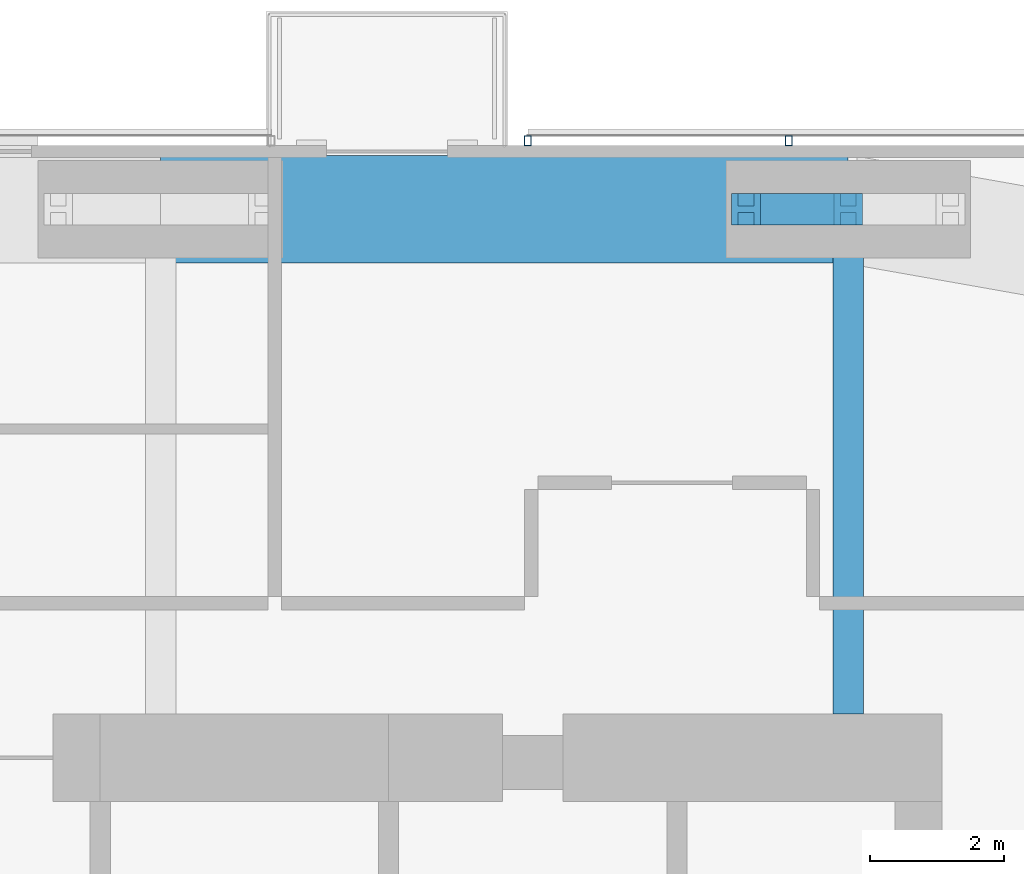
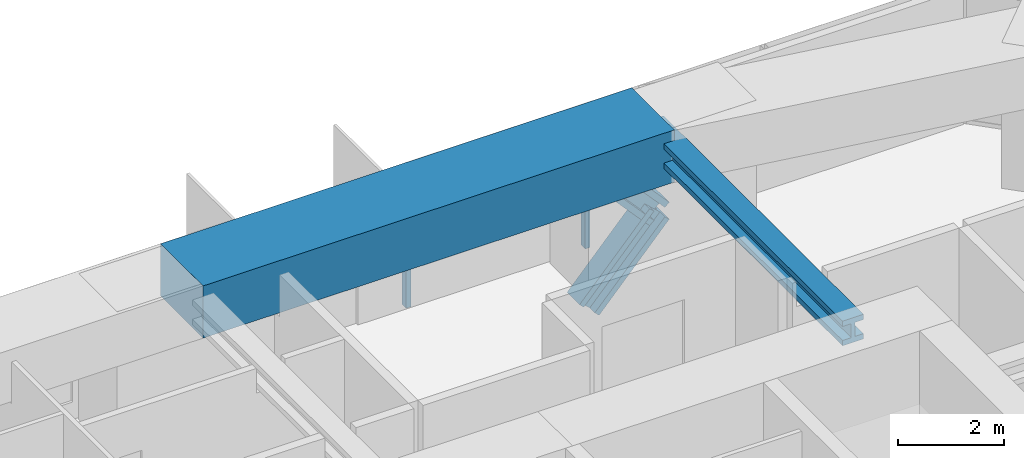
# One storey, part 12 of 22: 4 members, 2 beams, 1 element without a shape of its own.
"""IFC4 building model written with IfcOpenShell, lengths in metres."""

from ifc_helpers import new_model, si_unit, direction, frame, origin, origin_2d, place, context, subcontext, project, spatial, rectangle, hollow_rectangle, i_section, extrude, material, material_profile, profile_set, type_object, element, aggregate, save


model = new_model("IFC4")

# Units and contexts
model_context = context("Model", 3, precision=1e-05, world=origin(), true_north=direction((0.0, 1.0)))
body_context = subcontext(model_context, "Body", "Model", "MODEL_VIEW")
ifc_project = project(units=[si_unit("LENGTHUNIT", "METRE"), si_unit("AREAUNIT", "SQUARE_METRE"), si_unit("VOLUMEUNIT", "CUBIC_METRE"), si_unit("PLANEANGLEUNIT", "RADIAN"), si_unit("MASSUNIT", "GRAM", prefix="KILO")], contexts=[model_context])

# Site, building, storey
site_placement = place(None, origin())
site = spatial("IfcSite", under=ifc_project, at=site_placement, CompositionType="ELEMENT")
building_placement = place(site_placement, origin())
building = spatial("IfcBuilding", under=site, at=building_placement, Name="Jalousie Tower", CompositionType="ELEMENT")
storey_placement = place(building_placement, frame((0.0, 0.0, 201.25)))
storey = spatial("IfcBuildingStorey", under=building, at=storey_placement, Name="L55", CompositionType="ELEMENT", Elevation=201.25)

# Beam
ifc_material_1 = material(Name="Steel ASTM A992 Grade 50", Category="steel")
ifc_material_profile_1 = material_profile(ifc_material_1, i_section(OverallWidth=0.45458984375, OverallDepth=0.569091796875, WebThickness=0.077880859375, FlangeThickness=0.124755859375, at=origin_2d()), Name="W14X730")
ifc_profile_set_1 = profile_set([ifc_material_profile_1], Name="Steel ASTM A992 Grade 50")
beam_type_1 = type_object("IfcBeamType", Name="LEAN COLLECTOR W14X730", PredefinedType="BEAM", material=ifc_profile_set_1)
beam_1_placement = place(storey_placement, frame((42.75, 35.050048828125, 2.825439453125), z_axis=(0.0, -1.0, 0.0), x_axis=(1.0, 0.0, 0.0)))
element("IfcBeam", 1, at=beam_1_placement, inside=storey, type_object=beam_type_1, Name="Lean collector under L56", PredefinedType="BEAM", context=body_context, shape_type="SweptSolid", body=[
    extrude(i_section(OverallWidth=0.45458984375, OverallDepth=0.569091796875, WebThickness=0.077880859375, FlangeThickness=0.124755859375, at=origin_2d()), origin(), (0.0, 0.0, 1.0), 7.525146484375),
])

# Members
ifc_material_2 = material(Name="Steel ASTM A992 Grade 50", Category="steel")
ifc_material_profile_2 = material_profile(ifc_material_2, i_section(OverallWidth=0.472412109375, OverallDepth=0.5791015625, WebThickness=0.094970703125, FlangeThickness=0.1298828125, at=origin_2d()), Name="W14X808")
ifc_profile_set_2 = profile_set([ifc_material_profile_2], Name="Steel ASTM A992 Grade 50")
member_type_1 = type_object("IfcMemberType", Name="PERIMETER BRACE W14X808", PredefinedType="BRACE", material=ifc_profile_set_2)
for number, where, z_axis, x_axis, name in (
    (2, (41.22509765625, 35.050048828125, -0.60009765625), (0.673187629365, 0.0, 0.739471713908), (0.0, 1.0, 0.0), "Perimeter brace 09 L55 part 1"),
    (3, (42.75, 35.050048828125, 1.074951171875), (-0.673187629365, 0.0, 0.739471713908), (0.0, -1.0, 0.0), "Perimeter brace 09 L55 part 4"),
):
    element("IfcMember", number, at=place(storey_placement, frame(where, z_axis=z_axis, x_axis=x_axis)), inside=storey, type_object=member_type_1, Name=name, PredefinedType="BRACE", context=body_context, shape_type="SweptSolid", body=[
        extrude(i_section(OverallWidth=0.472412109375, OverallDepth=0.5791015625, WebThickness=0.094970703125, FlangeThickness=0.1298828125, at=origin_2d()), origin(), (0.0, 0.0, 1.0), 2.26513671875),
    ])

# Beam
ifc_material_3 = material(Name="Concrete f'c 40 MPa", Category="concrete")
ifc_material_profile_3 = material_profile(ifc_material_3, rectangle(XDim=1.60009765625, YDim=1.199951171875, at=origin_2d()), Name="RC 1600x1200")
ifc_profile_set_3 = profile_set([ifc_material_profile_3], Name="Concrete f'c 40 MPa")
beam_type_2 = type_object("IfcBeamType", Name="RC BEAM 1600x1200", PredefinedType="BEAM", material=ifc_profile_set_3)
beam_2_placement = place(storey_placement, frame((42.75, 35.050048828125, 2.75), z_axis=(-1.0, 0.0, 0.0), x_axis=(0.0, -1.0, 0.0)))
element("IfcBeam", 4, at=beam_2_placement, inside=storey, type_object=beam_type_2, Name="Edge band beam 09-10 under L56", PredefinedType="BEAM", context=body_context, shape_type="SweptSolid", body=[
    extrude(rectangle(XDim=1.60009765625, YDim=1.199951171875, at=origin_2d()), origin(), (0.0, 0.0, 1.0), 10.25),
])

# Curtain wall, members
ifc_material_4 = material(Name="Perforated aluminium sheet", Category="aluminium")
curtain_wall_type = type_object("IfcCurtainWallType", Name="SOLAR SCREEN SS-1", PredefinedType="USERDEFINED", material=ifc_material_4)
curtain_wall_placement = place(storey_placement, origin())
curtain_wall = element("IfcCurtainWall", 5, at=curtain_wall_placement, inside=storey, type_object=curtain_wall_type, Name="Solar screen L55", ObjectType="SOLAR SCREEN SS-1", PredefinedType="USERDEFINED")
ifc_material_5 = material(Name="Steel ASTM A500 Grade C", Category="steel")
ifc_material_profile_4 = material_profile(ifc_material_5, hollow_rectangle(XDim=0.1015625, YDim=0.15234375, WallThickness=0.00634765625, at=origin_2d()), Name="HSS6X4X1/4")
ifc_profile_set_4 = profile_set([ifc_material_profile_4], Name="Steel ASTM A500 Grade C")
member_type_2 = type_object("IfcMemberType", Name="SOLAR SCREEN SS-1 MULLION", PredefinedType="MULLION", material=ifc_profile_set_4)
member_1_placement = place(storey_placement, frame((41.8662109375, 36.0712890625, -0.1201171875), z_axis=(0.0, 0.0, 1.0), x_axis=(-1.0, 0.0, 0.0)))
member_1 = element("IfcMember", 6, at=member_1_placement, type_object=member_type_2, Name="SS1 post 3", PredefinedType="MULLION", context=body_context, shape_type="SweptSolid", body=[
    extrude(hollow_rectangle(XDim=0.1015625, YDim=0.15234375, WallThickness=0.00634765625, at=origin_2d()), origin(), (0.0, 0.0, 1.0), 3.230224609375),
])
member_2_placement = place(storey_placement, frame((37.97509765625, 36.0712890625, -0.1201171875), z_axis=(0.0, 0.0, 1.0), x_axis=(-1.0, 0.0, 0.0)))
member_2 = element("IfcMember", 7, at=member_2_placement, type_object=member_type_2, Name="SS1 post 4", PredefinedType="MULLION", context=body_context, shape_type="SweptSolid", body=[
    extrude(hollow_rectangle(XDim=0.1015625, YDim=0.15234375, WallThickness=0.00634765625, at=origin_2d()), origin(), (0.0, 0.0, 1.0), 3.230224609375),
])
aggregate(curtain_wall, [member_1, member_2])

save(model, "model.ifc")
